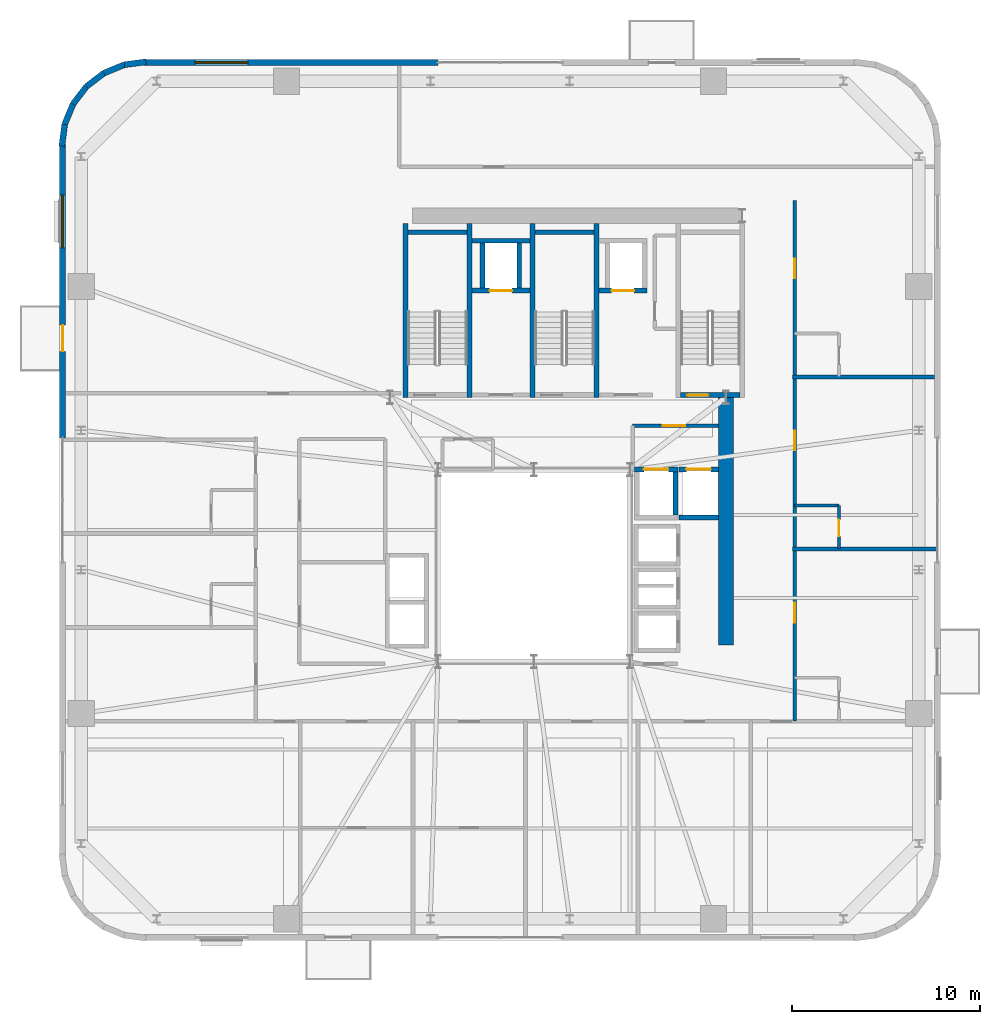
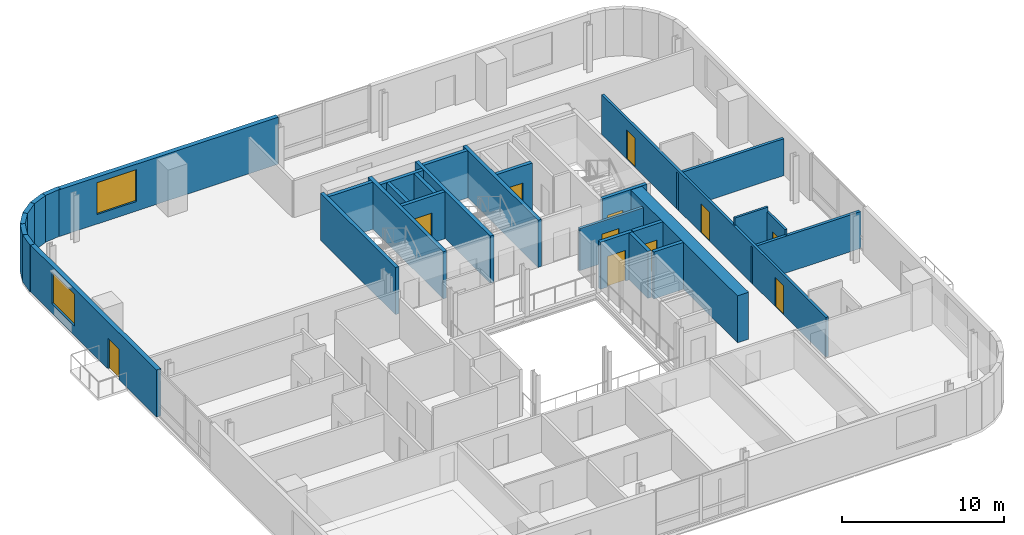
# One storey, part 10 of 16: 31 walls, 11 doors, 2 windows, 13 openings.
"""IFC4 building model written with IfcOpenShell, lengths in metres."""

from ifc_helpers import new_model, si_unit, direction, frame, frame_2d, origin, place, context, subcontext, project, spatial, rectangle, extrude, source, transform, mapped, material, layer, layer_set, type_object, element, fill, save


model = new_model("IFC4")

# Units and contexts
model_context = context("Model", 3, precision=1e-05, world=origin(), true_north=direction((0.0, 1.0)))
body_context = subcontext(model_context, "Body", "Model", "MODEL_VIEW")
ifc_project = project(units=[si_unit("LENGTHUNIT", "METRE"), si_unit("AREAUNIT", "SQUARE_METRE"), si_unit("VOLUMEUNIT", "CUBIC_METRE"), si_unit("PLANEANGLEUNIT", "RADIAN"), si_unit("MASSUNIT", "GRAM", prefix="KILO")], contexts=[model_context])

# Site, building, storey
site_placement = place(None, origin())
site = spatial("IfcSite", under=ifc_project, at=site_placement, CompositionType="ELEMENT")
building_placement = place(site_placement, origin())
building = spatial("IfcBuilding", under=site, at=building_placement, Name="Vardaveli Station Tower", CompositionType="ELEMENT")
storey_placement = place(building_placement, frame((0.0, 0.0, 203.550048828125)))
storey = spatial("IfcBuildingStorey", under=building, at=storey_placement, Name="L52", CompositionType="ELEMENT", Elevation=203.550048828125)

# Wall
ifc_material_1 = material(Name="Concrete C50/60", Category="concrete")
ifc_layer_1 = layer(ifc_material_1, 0.800048828125, Name="Concrete C50/60")
ifc_layer_set_1 = layer_set([ifc_layer_1], Name="Concrete C50/60")
wall_type_1 = type_object("IfcWallType", Name="WAL-CORE-800", PredefinedType="SHEAR", material=ifc_layer_set_1)
shared_shape_1 = source(origin(), body_context, "Body", "SweptSolid", [
    extrude(rectangle(XDim=13.14990234375, YDim=0.800048828125, at=frame_2d((6.574951171875, 0.0))), origin(), (0.0, 0.0, 1.0), 3.530029296875),
])
wall_1_placement = place(storey_placement, frame((46.5, 17.5, 0.0), z_axis=(0.0, 0.0, 1.0), x_axis=(0.0, 1.0, 0.0)))
element("IfcWall", 1, at=wall_1_placement, inside=storey, type_object=wall_type_1, Name="SW-L52-EAST2", PredefinedType="SHEAR", context=body_context, shape_type="MappedRepresentation", body=[
    mapped(shared_shape_1, transform((0.0, 0.0, 0.0), scale=1.0)),
])

# Wall, opening, window
ifc_material_2 = material(Name="Precast concrete C45/55", Category="concrete")
ifc_layer_2 = layer(ifc_material_2, 0.320068359375, Name="Precast concrete C45/55")
ifc_layer_set_2 = layer_set([ifc_layer_2], Name="Precast concrete C45/55")
wall_type_2 = type_object("IfcWallType", Name="WAL-EXT-STONE-320", PredefinedType="SOLIDWALL", material=ifc_layer_set_2)
shared_shape_2 = source(origin(), body_context, "Body", "SweptSolid", [
    extrude(rectangle(XDim=15.599853515625, YDim=0.320068359375, at=frame_2d((7.7998046875, 0.0))), origin(), (0.0, 0.0, 1.0), 3.530029296875),
])
wall_2_placement = place(storey_placement, frame((31.199951171875, 48.43994140625, 0.0), z_axis=(0.0, 0.0, 1.0), x_axis=(-1.0, 0.0, 0.0)))
wall_2 = element("IfcWall", 2, at=wall_2_placement, inside=storey, type_object=wall_type_2, Name="EW-L52-N2", PredefinedType="SOLIDWALL", context=body_context, shape_type="MappedRepresentation", body=[
    mapped(shared_shape_2, transform((0.0, 0.0, 0.0), scale=1.0)),
])
shared_shape_3 = source(origin(), body_context, "Body", "SweptSolid", [
    extrude(rectangle(XDim=2.800048828125, YDim=2.39990234375, at=frame_2d((1.39990234375, 1.199951171875))), frame((0.0, 0.169921875, 0.0), z_axis=(0.0, -1.0, 0.0), x_axis=(1.0, 0.0, 0.0)), (0.0, 0.0, 1.0), 0.340087890625),
])
opening_1_placement = place(wall_2_placement, frame((10.094970703125, 0.0, 0.719970703125)))
opening_1 = element("IfcOpeningElement", 3, at=opening_1_placement, cuts=wall_2, Name="Opening W-04", PredefinedType="OPENING", context=body_context, shape_type="MappedRepresentation", body=[
    mapped(shared_shape_3, transform((0.0, 0.0, 0.0), scale=1.0)),
])
ifc_material_3 = material(Name="Low-E solar-control glass", Category="glass")
window_type = type_object("IfcWindowType", Name="WIN-SUITE-2800x2400", PartitioningType="SINGLE_PANEL", PredefinedType="WINDOW", material=ifc_material_3)
shared_shape_4 = source(origin(), body_context, "Body", "SweptSolid", [
    extrude(rectangle(XDim=2.800048828125, YDim=2.39990234375, at=frame_2d((1.39990234375, 1.199951171875))), frame((0.0, 0.030029296875, 0.0), z_axis=(0.0, -1.0, 0.0), x_axis=(1.0, 0.0, 0.0)), (0.0, 0.0, 1.0), 0.06005859375),
])
window_1_placement = place(opening_1_placement, origin())
window_1 = element("IfcWindow", 4, at=window_1_placement, inside=storey, type_object=window_type, Name="WN-L52-N2", OverallHeight=2.39990234375, OverallWidth=2.800048828125, PartitioningType="SINGLE_PANEL", PredefinedType="WINDOW", context=body_context, shape_type="MappedRepresentation", body=[
    mapped(shared_shape_4, transform((0.0, 0.0, 0.0), scale=1.0)),
])
fill(opening_1, window_1)

# Wall, openings, door, window
shared_shape_5 = source(origin(), body_context, "Body", "SweptSolid", [
    extrude(rectangle(XDim=15.60009765625, YDim=0.320068359375, at=frame_2d((7.800048828125, 0.0))), origin(), (0.0, 0.0, 1.0), 3.530029296875),
])
wall_3_placement = place(storey_placement, frame((11.260009765625, 44.10009765625, 0.0), z_axis=(0.0, 0.0, 1.0), x_axis=(0.0, -1.0, 0.0)))
wall_3 = element("IfcWall", 5, at=wall_3_placement, inside=storey, type_object=wall_type_2, Name="EW-L52-W1", PredefinedType="SOLIDWALL", context=body_context, shape_type="MappedRepresentation", body=[
    mapped(shared_shape_5, transform((0.0, 0.0, 0.0), scale=1.0)),
])
shared_shape_6 = source(origin(), body_context, "Body", "SweptSolid", [
    extrude(rectangle(XDim=1.39990234375, YDim=2.300048828125, at=frame_2d((0.699951171875, 1.14990234375))), frame((0.0, 0.169921875, 0.0), z_axis=(0.0, -1.0, 0.0), x_axis=(1.0, 0.0, 0.0)), (0.0, 0.0, 1.0), 0.340087890625),
])
opening_2_placement = place(wall_3_placement, frame((9.6103515625, 0.0, 0.0)))
opening_2 = element("IfcOpeningElement", 6, at=opening_2_placement, cuts=wall_3, Name="Opening D-09", PredefinedType="OPENING", context=body_context, shape_type="MappedRepresentation", body=[
    mapped(shared_shape_6, transform((0.0, 0.0, 0.0), scale=1.0)),
])
opening_3_placement = place(wall_3_placement, frame((2.705078125, 0.0, 0.719970703125)))
opening_3 = element("IfcOpeningElement", 7, at=opening_3_placement, cuts=wall_3, Name="Opening W-04", PredefinedType="OPENING", context=body_context, shape_type="MappedRepresentation", body=[
    mapped(shared_shape_3, transform((0.0, 0.0, 0.0), scale=1.0)),
])
ifc_material_4 = material(Name="Thermally broken aluminium glass", Category="aluminium")
door_type_1 = type_object("IfcDoorType", Name="DR-LOG-1400x2300", OperationType="DOUBLE_DOOR_SLIDING", PredefinedType="DOOR", material=ifc_material_4)
shared_shape_7 = source(origin(), body_context, "Body", "SweptSolid", [
    extrude(rectangle(XDim=1.39990234375, YDim=2.300048828125, at=frame_2d((0.699951171875, 1.14990234375))), frame((0.0, 0.02490234375, 0.0), z_axis=(0.0, -1.0, 0.0), x_axis=(1.0, 0.0, 0.0)), (0.0, 0.0, 1.0), 0.050048828125),
])
door_1_placement = place(opening_2_placement, frame((1.39990234375, 0.0, 0.0), z_axis=(0.0, 0.0, 1.0), x_axis=(-1.0, 0.0, 0.0)))
door_1 = element("IfcDoor", 8, at=door_1_placement, inside=storey, type_object=door_type_1, Name="DLG-L52-W", OperationType="DOUBLE_DOOR_SLIDING", OverallHeight=2.300048828125, OverallWidth=1.39990234375, PredefinedType="DOOR", context=body_context, shape_type="MappedRepresentation", body=[
    mapped(shared_shape_7, transform((0.0, 0.0, 0.0), scale=1.0)),
])
fill(opening_2, door_1)
window_2_placement = place(opening_3_placement, origin())
window_2 = element("IfcWindow", 9, at=window_2_placement, inside=storey, type_object=window_type, Name="WN-L52-W1", OverallHeight=2.39990234375, OverallWidth=2.800048828125, PartitioningType="SINGLE_PANEL", PredefinedType="WINDOW", context=body_context, shape_type="MappedRepresentation", body=[
    mapped(shared_shape_4, transform((0.0, 0.0, 0.0), scale=1.0)),
])
fill(opening_3, window_2)

# Walls
shared_shape_8 = source(origin(), body_context, "Body", "SweptSolid", [
    extrude(rectangle(XDim=1.1689453125, YDim=0.320068359375, at=frame_2d((0.58447265625, 0.0))), origin(), (0.0, 0.0, 1.0), 3.530029296875),
])
wall_4_placement = place(storey_placement, frame((12.53125, 47.1689453125, 0.0), z_axis=(0.0, 0.0, 1.0), x_axis=(-0.608387696831, -0.793639975269, 0.0)))
element("IfcWall", 10, at=wall_4_placement, inside=storey, type_object=wall_type_2, Name="EW-L52-CR4-4", PredefinedType="SOLIDWALL", context=body_context, shape_type="MappedRepresentation", body=[
    mapped(shared_shape_8, transform((0.0, 0.0, 0.0), scale=1.0)),
])
shared_shape_9 = source(origin(), body_context, "Body", "SweptSolid", [
    extrude(rectangle(XDim=1.168701171875, YDim=0.320068359375, at=frame_2d((0.58447265625, 0.0))), origin(), (0.0, 0.0, 1.0), 3.530029296875),
])
wall_5_placement = place(storey_placement, frame((13.458740234375, 47.8798828125, 0.0), z_axis=(0.0, 0.0, 1.0), x_axis=(-0.793663520347, -0.608356981114, 0.0)))
element("IfcWall", 11, at=wall_5_placement, inside=storey, type_object=wall_type_2, Name="EW-L52-CR4-3", PredefinedType="SOLIDWALL", context=body_context, shape_type="MappedRepresentation", body=[
    mapped(shared_shape_9, transform((0.0, 0.0, 0.0), scale=1.0)),
])
shared_shape_10 = source(origin(), body_context, "Body", "SweptSolid", [
    extrude(rectangle(XDim=1.17041015625, YDim=0.320068359375, at=frame_2d((0.585205078125, 0.0))), origin(), (0.0, 0.0, 1.0), 3.530029296875),
])
for number, where, z_axis, x_axis, name in (
    (12, (15.700439453125, 48.4755859375, 0.0), (0.0, 0.0, 1.0), (-0.991735963317, -0.128295670475, 0.0), "EW-L52-CR4-1"),
    (13, (11.37451171875, 45.16015625, 0.0), (0.0, 0.0, 1.0), (-0.128295670475, -0.991735963317, 0.0), "EW-L52-CR4-6"),
):
    element("IfcWall", number, at=place(storey_placement, frame(where, z_axis=z_axis, x_axis=x_axis)), inside=storey, type_object=wall_type_2, Name=name, PredefinedType="SOLIDWALL", context=body_context, shape_type="MappedRepresentation", body=[
        mapped(shared_shape_10, transform((0.0, 0.0, 0.0), scale=1.0)),
    ])
shared_shape_11 = source(origin(), body_context, "Body", "SweptSolid", [
    extrude(rectangle(XDim=1.169189453125, YDim=0.320068359375, at=frame_2d((0.58447265625, 0.0))), origin(), (0.0, 0.0, 1.0), 3.530029296875),
])
for number, where, z_axis, x_axis, name in (
    (14, (14.539794921875, 48.325439453125, 0.0), (0.0, 0.0, 1.0), (-0.924552646638, -0.381054331552, 0.0), "EW-L52-CR4-2"),
    (15, (11.820068359375, 46.2412109375, 0.0), (0.0, 0.0, 1.0), (-0.381054331552, -0.924552646638, 0.0), "EW-L52-CR4-5"),
):
    element("IfcWall", number, at=place(storey_placement, frame(where, z_axis=z_axis, x_axis=x_axis)), inside=storey, type_object=wall_type_2, Name=name, PredefinedType="SOLIDWALL", context=body_context, shape_type="MappedRepresentation", body=[
        mapped(shared_shape_11, transform((0.0, 0.0, 0.0), scale=1.0)),
    ])
ifc_material_5 = material(Name="Concrete C40/50", Category="concrete")
ifc_layer_3 = layer(ifc_material_5, 0.25, Name="Concrete C40/50")
ifc_layer_set_3 = layer_set([ifc_layer_3], Name="Concrete C40/50")
wall_type_3 = type_object("IfcWallType", Name="WAL-SHAFT-250", PredefinedType="SOLIDWALL", material=ifc_layer_set_3)
shared_shape_12 = source(origin(), body_context, "Body", "SweptSolid", [
    extrude(rectangle(XDim=9.25, YDim=0.25, at=frame_2d((4.625, 0.0))), origin(), (0.0, 0.0, 1.0), 3.550048828125),
])
for number, where, z_axis, x_axis, name in (
    (16, (29.47509765625, 30.64990234375, 0.0), (0.0, 0.0, 1.0), (0.0, 1.0, 0.0), "W-L52-ST-1W"),
    (17, (32.875, 30.64990234375, 0.0), (0.0, 0.0, 1.0), (0.0, 1.0, 0.0), "W-L52-ST-1E"),
    (18, (36.22509765625, 30.64990234375, 0.0), (0.0, 0.0, 1.0), (0.0, 1.0, 0.0), "W-L52-ST-2W"),
    (19, (39.625, 30.64990234375, 0.0), (0.0, 0.0, 1.0), (0.0, 1.0, 0.0), "W-L52-ST-2E"),
):
    element("IfcWall", number, at=place(storey_placement, frame(where, z_axis=z_axis, x_axis=x_axis)), inside=storey, type_object=wall_type_3, Name=name, PredefinedType="SOLIDWALL", context=body_context, shape_type="MappedRepresentation", body=[
        mapped(shared_shape_12, transform((0.0, 0.0, 0.0), scale=1.0)),
    ])
shared_shape_13 = source(origin(), body_context, "Body", "SweptSolid", [
    extrude(rectangle(XDim=3.14990234375, YDim=0.25, at=frame_2d((1.574951171875, 0.0))), origin(), (0.0, 0.0, 1.0), 3.550048828125),
])
for number, where, z_axis, x_axis, name in (
    (20, (29.60009765625, 39.425048828125, 0.0), (0.0, 0.0, 1.0), (1.0, 0.0, 0.0), "W-L52-ST-1N"),
    (21, (36.35009765625, 39.425048828125, 0.0), (0.0, 0.0, 1.0), (1.0, 0.0, 0.0), "W-L52-ST-2N"),
):
    element("IfcWall", number, at=place(storey_placement, frame(where, z_axis=z_axis, x_axis=x_axis)), inside=storey, type_object=wall_type_3, Name=name, PredefinedType="SOLIDWALL", context=body_context, shape_type="MappedRepresentation", body=[
        mapped(shared_shape_13, transform((0.0, 0.0, 0.0), scale=1.0)),
    ])

# Wall, opening, door
wall_6_placement = place(storey_placement, frame((44.10009765625, 30.77490234375, 0.0), z_axis=(0.0, 0.0, 1.0), x_axis=(1.0, 0.0, 0.0)))
wall_6 = element("IfcWall", 22, at=wall_6_placement, inside=storey, type_object=wall_type_3, Name="W-L52-ST-3S", PredefinedType="SOLIDWALL", context=body_context, shape_type="MappedRepresentation", body=[
    mapped(shared_shape_13, transform((0.0, 0.0, 0.0), scale=1.0)),
])
shared_shape_14 = source(origin(), body_context, "Body", "SweptSolid", [
    extrude(rectangle(XDim=1.10009765625, YDim=2.199951171875, at=frame_2d((0.550048828125, 1.10009765625))), frame((0.0, 0.135009765625, 0.0), z_axis=(0.0, -1.0, 0.0), x_axis=(1.0, 0.0, 0.0)), (0.0, 0.0, 1.0), 0.27001953125),
])
opening_4_placement = place(wall_6_placement, frame((0.35009765625, 0.0, 0.0)))
opening_4 = element("IfcOpeningElement", 23, at=opening_4_placement, cuts=wall_6, Name="Opening D-04", PredefinedType="OPENING", context=body_context, shape_type="MappedRepresentation", body=[
    mapped(shared_shape_14, transform((0.0, 0.0, 0.0), scale=1.0)),
])
ifc_material_6 = material(Name="Steel smokeproof fire doorset", Category="steel")
door_type_2 = type_object("IfcDoorType", Name="DR-ST-1100x2200", OperationType="NOTDEFINED", PredefinedType="DOOR", material=ifc_material_6)
shared_shape_15 = source(origin(), body_context, "Body", "SweptSolid", [
    extrude(rectangle(XDim=1.10009765625, YDim=2.199951171875, at=frame_2d((0.550048828125, 1.10009765625))), frame((0.0, 0.02490234375, 0.0), z_axis=(0.0, -1.0, 0.0), x_axis=(1.0, 0.0, 0.0)), (0.0, 0.0, 1.0), 0.050048828125),
])
door_2_placement = place(opening_4_placement, origin())
door_2 = element("IfcDoor", 24, at=door_2_placement, inside=storey, type_object=door_type_2, Name="DST-3-L52", OperationType="SINGLE_SWING_LEFT", OverallHeight=2.199951171875, OverallWidth=1.10009765625, PredefinedType="DOOR", context=body_context, shape_type="MappedRepresentation", body=[
    mapped(shared_shape_15, transform((0.0, 0.0, 0.0), scale=1.0)),
])
fill(opening_4, door_2)

shared_shape_16 = source(origin(), body_context, "Body", "SweptSolid", [
    extrude(rectangle(XDim=3.10009765625, YDim=0.25, at=frame_2d((1.550048828125, 0.0))), origin(), (0.0, 0.0, 1.0), 3.530029296875),
])
wall_7_placement = place(storey_placement, frame((33.0, 36.324951171875, 0.0), z_axis=(0.0, 0.0, 1.0), x_axis=(1.0, 0.0, 0.0)))
wall_7 = element("IfcWall", 25, at=wall_7_placement, inside=storey, type_object=wall_type_3, Name="SHW-FFL-01-L52-S", PredefinedType="SOLIDWALL", context=body_context, shape_type="MappedRepresentation", body=[
    mapped(shared_shape_16, transform((0.0, 0.0, 0.0), scale=1.0)),
])
shared_shape_17 = source(origin(), body_context, "Body", "SweptSolid", [
    extrude(rectangle(XDim=1.199951171875, YDim=2.25, at=frame_2d((0.60009765625, 1.125))), frame((0.0, 0.135009765625, 0.0), z_axis=(0.0, -1.0, 0.0), x_axis=(1.0, 0.0, 0.0)), (0.0, 0.0, 1.0), 0.27001953125),
])
opening_5_placement = place(wall_7_placement, frame((0.949951171875, 0.0, 0.0)))
opening_5 = element("IfcOpeningElement", 26, at=opening_5_placement, cuts=wall_7, Name="Opening LD-02", PredefinedType="OPENING", context=body_context, shape_type="MappedRepresentation", body=[
    mapped(shared_shape_17, transform((0.0, 0.0, 0.0), scale=1.0)),
])
ifc_material_7 = material(Name="Brushed stainless steel", Category="steel")
door_type_3 = type_object("IfcDoorType", Name="DR-LD-1200x2250", OperationType="DOUBLE_DOOR_SLIDING", PredefinedType="DOOR", material=ifc_material_7)
shared_shape_18 = source(origin(), body_context, "Body", "SweptSolid", [
    extrude(rectangle(XDim=1.199951171875, YDim=2.25, at=frame_2d((0.60009765625, 1.125))), frame((0.0, 0.02490234375, 0.0), z_axis=(0.0, -1.0, 0.0), x_axis=(1.0, 0.0, 0.0)), (0.0, 0.0, 1.0), 0.050048828125),
])
door_3_placement = place(opening_5_placement, origin())
door_3 = element("IfcDoor", 27, at=door_3_placement, inside=storey, type_object=door_type_3, Name="LD-FFL-01-L52", OperationType="DOUBLE_DOOR_SLIDING", OverallHeight=2.25, OverallWidth=1.199951171875, PredefinedType="DOOR", context=body_context, shape_type="MappedRepresentation", body=[
    mapped(shared_shape_18, transform((0.0, 0.0, 0.0), scale=1.0)),
])
fill(opening_5, door_3)

# Walls
wall_8_placement = place(storey_placement, frame((33.0, 38.97509765625, 0.0), z_axis=(0.0, 0.0, 1.0), x_axis=(1.0, 0.0, 0.0)))
element("IfcWall", 28, at=wall_8_placement, inside=storey, type_object=wall_type_3, Name="SHW-FFL-01-L52-N", PredefinedType="SOLIDWALL", context=body_context, shape_type="MappedRepresentation", body=[
    mapped(shared_shape_16, transform((0.0, 0.0, 0.0), scale=1.0)),
])
shared_shape_19 = source(origin(), body_context, "Body", "SweptSolid", [
    extrude(rectangle(XDim=2.400146484375, YDim=0.25, at=frame_2d((1.2001953125, 0.0))), origin(), (0.0, 0.0, 1.0), 3.530029296875),
])
for number, where, z_axis, x_axis, name in (
    (29, (33.574951171875, 36.449951171875, 0.0), (0.0, 0.0, 1.0), (0.0, 1.0, 0.0), "SHW-FFL-01-L52-W"),
    (30, (35.52490234375, 36.449951171875, 0.0), (0.0, 0.0, 1.0), (0.0, 1.0, 0.0), "SHW-FFL-01-L52-E"),
):
    element("IfcWall", number, at=place(storey_placement, frame(where, z_axis=z_axis, x_axis=x_axis)), inside=storey, type_object=wall_type_3, Name=name, PredefinedType="SOLIDWALL", context=body_context, shape_type="MappedRepresentation", body=[
        mapped(shared_shape_19, transform((0.0, 0.0, 0.0), scale=1.0)),
    ])

# Wall, opening, door
shared_shape_20 = source(origin(), body_context, "Body", "SweptSolid", [
    extrude(rectangle(XDim=2.550048828125, YDim=0.25, at=frame_2d((1.27490234375, 0.0))), origin(), (0.0, 0.0, 1.0), 3.530029296875),
])
wall_9_placement = place(storey_placement, frame((39.75, 36.324951171875, 0.0), z_axis=(0.0, 0.0, 1.0), x_axis=(1.0, 0.0, 0.0)))
wall_9 = element("IfcWall", 31, at=wall_9_placement, inside=storey, type_object=wall_type_3, Name="SHW-FFL-02-L52-S", PredefinedType="SOLIDWALL", context=body_context, shape_type="MappedRepresentation", body=[
    mapped(shared_shape_20, transform((0.0, 0.0, 0.0), scale=1.0)),
])
opening_6_placement = place(wall_9_placement, frame((0.675048828125, 0.0, 0.0)))
opening_6 = element("IfcOpeningElement", 32, at=opening_6_placement, cuts=wall_9, Name="Opening LD-02", PredefinedType="OPENING", context=body_context, shape_type="MappedRepresentation", body=[
    mapped(shared_shape_17, transform((0.0, 0.0, 0.0), scale=1.0)),
])
door_4_placement = place(opening_6_placement, origin())
door_4 = element("IfcDoor", 33, at=door_4_placement, inside=storey, type_object=door_type_3, Name="LD-FFL-02-L52", OperationType="DOUBLE_DOOR_SLIDING", OverallHeight=2.25, OverallWidth=1.199951171875, PredefinedType="DOOR", context=body_context, shape_type="MappedRepresentation", body=[
    mapped(shared_shape_18, transform((0.0, 0.0, 0.0), scale=1.0)),
])
fill(opening_6, door_4)

shared_shape_21 = source(origin(), body_context, "Body", "SweptSolid", [
    extrude(rectangle(XDim=2.300048828125, YDim=0.25, at=frame_2d((1.14990234375, 0.0))), origin(), (0.0, 0.0, 1.0), 3.530029296875),
])
wall_10_placement = place(storey_placement, frame((41.64990234375, 26.824951171875, 0.0), z_axis=(0.0, 0.0, 1.0), x_axis=(1.0, 0.0, 0.0)))
wall_10 = element("IfcWall", 34, at=wall_10_placement, inside=storey, type_object=wall_type_3, Name="SHW-SRV-01-L52-N", PredefinedType="SOLIDWALL", context=body_context, shape_type="MappedRepresentation", body=[
    mapped(shared_shape_21, transform((0.0, 0.0, 0.0), scale=1.0)),
])
shared_shape_22 = source(origin(), body_context, "Body", "SweptSolid", [
    extrude(rectangle(XDim=1.300048828125, YDim=2.300048828125, at=frame_2d((0.64990234375, 1.14990234375))), frame((0.0, 0.135009765625, 0.0), z_axis=(0.0, -1.0, 0.0), x_axis=(1.0, 0.0, 0.0)), (0.0, 0.0, 1.0), 0.27001953125),
])
opening_7_placement = place(wall_10_placement, frame((0.5, 0.0, 0.0)))
opening_7 = element("IfcOpeningElement", 35, at=opening_7_placement, cuts=wall_10, Name="Opening LD-03", PredefinedType="OPENING", context=body_context, shape_type="MappedRepresentation", body=[
    mapped(shared_shape_22, transform((0.0, 0.0, 0.0), scale=1.0)),
])
door_type_4 = type_object("IfcDoorType", Name="DR-LD-1300x2300", OperationType="DOUBLE_DOOR_SLIDING", PredefinedType="DOOR", material=ifc_material_7)
shared_shape_23 = source(origin(), body_context, "Body", "SweptSolid", [
    extrude(rectangle(XDim=1.300048828125, YDim=2.300048828125, at=frame_2d((0.64990234375, 1.14990234375))), frame((0.0, 0.02490234375, 0.0), z_axis=(0.0, -1.0, 0.0), x_axis=(1.0, 0.0, 0.0)), (0.0, 0.0, 1.0), 0.050048828125),
])
door_5_placement = place(opening_7_placement, origin())
door_5 = element("IfcDoor", 36, at=door_5_placement, inside=storey, type_object=door_type_4, Name="LD-SRV-01-L52", OperationType="DOUBLE_DOOR_SLIDING", OverallHeight=2.300048828125, OverallWidth=1.300048828125, PredefinedType="DOOR", context=body_context, shape_type="MappedRepresentation", body=[
    mapped(shared_shape_23, transform((0.0, 0.0, 0.0), scale=1.0)),
])
fill(opening_7, door_5)

# Walls
wall_11_placement = place(storey_placement, frame((43.824951171875, 24.39990234375, 0.0), z_axis=(0.0, 0.0, 1.0), x_axis=(0.0, 1.0, 0.0)))
element("IfcWall", 37, at=wall_11_placement, inside=storey, type_object=wall_type_3, Name="SHW-SRV-01-L52-E", PredefinedType="SOLIDWALL", context=body_context, shape_type="MappedRepresentation", body=[
    mapped(shared_shape_21, transform((0.0, 0.0, 0.0), scale=1.0)),
])
shared_shape_24 = source(origin(), body_context, "Body", "SweptSolid", [
    extrude(rectangle(XDim=2.10009765625, YDim=0.25, at=frame_2d((1.050048828125, 0.0))), origin(), (0.0, 0.0, 1.0), 3.530029296875),
])
wall_12_placement = place(storey_placement, frame((44.0, 24.27490234375, 0.0), z_axis=(0.0, 0.0, 1.0), x_axis=(1.0, 0.0, 0.0)))
element("IfcWall", 38, at=wall_12_placement, inside=storey, type_object=wall_type_3, Name="SHW-SRV-02-L52-S", PredefinedType="SOLIDWALL", context=body_context, shape_type="MappedRepresentation", body=[
    mapped(shared_shape_24, transform((0.0, 0.0, 0.0), scale=1.0)),
])

# Wall, opening, door
wall_13_placement = place(storey_placement, frame((44.0, 26.824951171875, 0.0), z_axis=(0.0, 0.0, 1.0), x_axis=(1.0, 0.0, 0.0)))
wall_13 = element("IfcWall", 39, at=wall_13_placement, inside=storey, type_object=wall_type_3, Name="SHW-SRV-02-L52-N", PredefinedType="SOLIDWALL", context=body_context, shape_type="MappedRepresentation", body=[
    mapped(shared_shape_24, transform((0.0, 0.0, 0.0), scale=1.0)),
])
opening_8_placement = place(wall_13_placement, frame((0.39990234375, 0.0, 0.0)))
opening_8 = element("IfcOpeningElement", 40, at=opening_8_placement, cuts=wall_13, Name="Opening LD-03", PredefinedType="OPENING", context=body_context, shape_type="MappedRepresentation", body=[
    mapped(shared_shape_22, transform((0.0, 0.0, 0.0), scale=1.0)),
])
door_6_placement = place(opening_8_placement, origin())
door_6 = element("IfcDoor", 41, at=door_6_placement, inside=storey, type_object=door_type_4, Name="LD-SRV-02-L52", OperationType="DOUBLE_DOOR_SLIDING", OverallHeight=2.300048828125, OverallWidth=1.300048828125, PredefinedType="DOOR", context=body_context, shape_type="MappedRepresentation", body=[
    mapped(shared_shape_23, transform((0.0, 0.0, 0.0), scale=1.0)),
])
fill(opening_8, door_6)

ifc_material_8 = material(Name="Fire-rated gypsum stud partition")
ifc_layer_4 = layer(ifc_material_8, 0.179931640625, Name="Fire-rated gypsum stud partition")
ifc_layer_set_4 = layer_set([ifc_layer_4], Name="Fire-rated gypsum stud partition")
wall_type_4 = type_object("IfcWallType", Name="WAL-CORR-180", PredefinedType="PARTITIONING", material=ifc_layer_set_4)
shared_shape_25 = source(origin(), body_context, "Body", "SweptSolid", [
    extrude(rectangle(XDim=4.5478515625, YDim=0.179931640625, at=frame_2d((2.27392578125, 0.0))), origin(), (0.0, 0.0, 1.0), 3.161865234375),
])
wall_14_placement = place(storey_placement, frame((41.550048828125, 29.14990234375, 0.0), z_axis=(0.0, 0.0, 1.0), x_axis=(1.0, 0.0, 0.0)))
wall_14 = element("IfcWall", 42, at=wall_14_placement, inside=storey, type_object=wall_type_4, Name="W-L52-SVFN", PredefinedType="PARTITIONING", context=body_context, shape_type="MappedRepresentation", body=[
    mapped(shared_shape_25, transform((0.0, 0.0, 0.0), scale=1.0)),
])
shared_shape_26 = source(origin(), body_context, "Body", "SweptSolid", [
    extrude(rectangle(XDim=1.199951171875, YDim=2.199951171875, at=frame_2d((0.60009765625, 1.10009765625))), frame((0.0, 0.10009765625, 0.0), z_axis=(0.0, -1.0, 0.0), x_axis=(1.0, 0.0, 0.0)), (0.0, 0.0, 1.0), 0.199951171875),
])
opening_9_placement = place(wall_14_placement, frame((1.60009765625, 0.0, 0.0)))
opening_9 = element("IfcOpeningElement", 43, at=opening_9_placement, cuts=wall_14, Name="Opening D-03", PredefinedType="OPENING", context=body_context, shape_type="MappedRepresentation", body=[
    mapped(shared_shape_26, transform((0.0, 0.0, 0.0), scale=1.0)),
])
door_type_5 = type_object("IfcDoorType", Name="DR-FFL-1200x2200", OperationType="NOTDEFINED", PredefinedType="DOOR", material=ifc_material_6)
shared_shape_27 = source(origin(), body_context, "Body", "SweptSolid", [
    extrude(rectangle(XDim=1.199951171875, YDim=2.199951171875, at=frame_2d((0.60009765625, 1.10009765625))), frame((0.0, 0.02490234375, 0.0), z_axis=(0.0, -1.0, 0.0), x_axis=(1.0, 0.0, 0.0)), (0.0, 0.0, 1.0), 0.050048828125),
])
door_7_placement = place(opening_9_placement, origin())
door_7 = element("IfcDoor", 44, at=door_7_placement, inside=storey, type_object=door_type_5, Name="D-L52-SVF", OperationType="SINGLE_SWING_LEFT", OverallHeight=2.199951171875, OverallWidth=1.199951171875, PredefinedType="DOOR", context=body_context, shape_type="MappedRepresentation", body=[
    mapped(shared_shape_27, transform((0.0, 0.0, 0.0), scale=1.0)),
])
fill(opening_9, door_7)

# Walls
ifc_material_9 = material(Name="Acoustic twin-stud gypsum partition")
ifc_layer_5 = layer(ifc_material_9, 0.199951171875, Name="Acoustic twin-stud gypsum partition")
ifc_layer_set_5 = layer_set([ifc_layer_5], Name="Acoustic twin-stud gypsum partition")
wall_type_5 = type_object("IfcWallType", Name="WAL-PARTY-200", PredefinedType="PARTITIONING", material=ifc_layer_set_5)
shared_shape_28 = source(origin(), body_context, "Body", "SweptSolid", [
    extrude(rectangle(XDim=7.52783203125, YDim=0.199951171875, at=frame_2d((3.763916015625, 0.0))), origin(), (0.0, 0.0, 1.0), 2.77197265625),
])
wall_15_placement = place(storey_placement, frame((50.050048828125, 31.737060546875, 0.0), z_axis=(0.0, 0.0, 1.0), x_axis=(1.0, 0.0, 0.0)))
element("IfcWall", 45, at=wall_15_placement, inside=storey, type_object=wall_type_5, Name="W-L52-PE2", PredefinedType="PARTITIONING", context=body_context, shape_type="MappedRepresentation", body=[
    mapped(shared_shape_28, transform((0.0, 0.0, 0.0), scale=1.0)),
])
shared_shape_29 = source(origin(), body_context, "Body", "SweptSolid", [
    extrude(rectangle(XDim=7.719970703125, YDim=0.199951171875, at=frame_2d((3.85986328125, 0.0))), origin(), (0.0, 0.0, 1.0), 2.77197265625),
])
wall_16_placement = place(storey_placement, frame((50.050048828125, 22.593017578125, 0.0), z_axis=(0.0, 0.0, 1.0), x_axis=(1.0, 0.0, 0.0)))
element("IfcWall", 46, at=wall_16_placement, inside=storey, type_object=wall_type_5, Name="W-L52-PE1", PredefinedType="PARTITIONING", context=body_context, shape_type="MappedRepresentation", body=[
    mapped(shared_shape_29, transform((0.0, 0.0, 0.0), scale=1.0)),
])
ifc_material_10 = material(Name="Moisture-resistant stud partition")
ifc_layer_6 = layer(ifc_material_10, 0.14990234375, Name="Moisture-resistant stud partition")
ifc_layer_set_6 = layer_set([ifc_layer_6], Name="Moisture-resistant stud partition")
wall_type_6 = type_object("IfcWallType", Name="WAL-WET-150", PredefinedType="PARTITIONING", material=ifc_layer_set_6)
shared_shape_30 = source(origin(), body_context, "Body", "SweptSolid", [
    extrude(rectangle(XDim=2.360107421875, YDim=0.14990234375, at=frame_2d((1.18017578125, 0.0))), origin(), (0.0, 0.0, 1.0), 3.530029296875),
])
wall_17_placement = place(storey_placement, frame((50.14990234375, 24.903076171875, 0.0), z_axis=(0.0, 0.0, 1.0), x_axis=(1.0, 0.0, 0.0)))
element("IfcWall", 47, at=wall_17_placement, inside=storey, type_object=wall_type_6, Name="W-L52-BE2-N", PredefinedType="PARTITIONING", context=body_context, shape_type="MappedRepresentation", body=[
    mapped(shared_shape_30, transform((0.0, 0.0, 0.0), scale=1.0)),
])

# Wall, openings, doors
shared_shape_31 = source(origin(), body_context, "Body", "SweptSolid", [
    extrude(rectangle(XDim=27.650146484375, YDim=0.179931640625, at=frame_2d((13.8251953125, 0.0))), origin(), (0.0, 0.0, 1.0), 2.971923828125),
])
wall_18_placement = place(storey_placement, frame((50.14990234375, 13.449951171875, 0.0), z_axis=(0.0, 0.0, 1.0), x_axis=(0.0, 1.0, 0.0)))
wall_18 = element("IfcWall", 48, at=wall_18_placement, inside=storey, type_object=wall_type_4, Name="W-L52-CE", PredefinedType="PARTITIONING", context=body_context, shape_type="MappedRepresentation", body=[
    mapped(shared_shape_31, transform((0.0, 0.0, 0.0), scale=1.0)),
])
shared_shape_32 = source(origin(), body_context, "Body", "SweptSolid", [
    extrude(rectangle(XDim=1.050048828125, YDim=2.199951171875, at=frame_2d((0.52490234375, 1.10009765625))), frame((0.0, 0.10009765625, 0.0), z_axis=(0.0, -1.0, 0.0), x_axis=(1.0, 0.0, 0.0)), (0.0, 0.0, 1.0), 0.199951171875),
])
opening_10_placement = place(wall_18_placement, frame((5.23681640625, 0.0, 0.0)))
opening_10 = element("IfcOpeningElement", 49, at=opening_10_placement, cuts=wall_18, Name="Opening D-05", PredefinedType="OPENING", context=body_context, shape_type="MappedRepresentation", body=[
    mapped(shared_shape_32, transform((0.0, 0.0, 0.0), scale=1.0)),
])
opening_11_placement = place(wall_18_placement, frame((14.3798828125, 0.0, 0.0)))
opening_11 = element("IfcOpeningElement", 50, at=opening_11_placement, cuts=wall_18, Name="Opening D-05", PredefinedType="OPENING", context=body_context, shape_type="MappedRepresentation", body=[
    mapped(shared_shape_32, transform((0.0, 0.0, 0.0), scale=1.0)),
])
opening_12_placement = place(wall_18_placement, frame((23.523193359375, 0.0, 0.0)))
opening_12 = element("IfcOpeningElement", 51, at=opening_12_placement, cuts=wall_18, Name="Opening D-05", PredefinedType="OPENING", context=body_context, shape_type="MappedRepresentation", body=[
    mapped(shared_shape_32, transform((0.0, 0.0, 0.0), scale=1.0)),
])
ifc_material_11 = material(Name="Walnut veneer acoustic fire door")
door_type_6 = type_object("IfcDoorType", Name="DR-SUITE-1050x2200", OperationType="NOTDEFINED", PredefinedType="DOOR", material=ifc_material_11)
shared_shape_33 = source(origin(), body_context, "Body", "SweptSolid", [
    extrude(rectangle(XDim=1.050048828125, YDim=2.199951171875, at=frame_2d((0.52490234375, 1.10009765625))), frame((0.0, 0.02490234375, 0.0), z_axis=(0.0, -1.0, 0.0), x_axis=(1.0, 0.0, 0.0)), (0.0, 0.0, 1.0), 0.050048828125),
])
door_8_placement = place(opening_10_placement, origin())
door_8 = element("IfcDoor", 52, at=door_8_placement, inside=storey, type_object=door_type_6, Name="D-L52-GE1", OperationType="SINGLE_SWING_LEFT", OverallHeight=2.199951171875, OverallWidth=1.050048828125, PredefinedType="DOOR", context=body_context, shape_type="MappedRepresentation", body=[
    mapped(shared_shape_33, transform((0.0, 0.0, 0.0), scale=1.0)),
])
fill(opening_10, door_8)
door_9_placement = place(opening_11_placement, origin())
door_9 = element("IfcDoor", 53, at=door_9_placement, inside=storey, type_object=door_type_6, Name="D-L52-GE2", OperationType="SINGLE_SWING_RIGHT", OverallHeight=2.199951171875, OverallWidth=1.050048828125, PredefinedType="DOOR", context=body_context, shape_type="MappedRepresentation", body=[
    mapped(shared_shape_33, transform((0.0, 0.0, 0.0), scale=1.0)),
])
fill(opening_11, door_9)
door_10_placement = place(opening_12_placement, origin())
door_10 = element("IfcDoor", 54, at=door_10_placement, inside=storey, type_object=door_type_6, Name="D-L52-GE3", OperationType="SINGLE_SWING_LEFT", OverallHeight=2.199951171875, OverallWidth=1.050048828125, PredefinedType="DOOR", context=body_context, shape_type="MappedRepresentation", body=[
    mapped(shared_shape_33, transform((0.0, 0.0, 0.0), scale=1.0)),
])
fill(opening_12, door_10)

# Wall, opening, door
shared_shape_34 = source(origin(), body_context, "Body", "SweptSolid", [
    extrude(rectangle(XDim=2.2900390625, YDim=0.14990234375, at=frame_2d((1.14501953125, 0.0))), origin(), (0.0, 0.0, 1.0), 3.19189453125),
])
wall_19_placement = place(storey_placement, frame((52.510009765625, 22.613037109375, 0.0), z_axis=(0.0, 0.0, 1.0), x_axis=(0.0, 1.0, 0.0)))
wall_19 = element("IfcWall", 55, at=wall_19_placement, inside=storey, type_object=wall_type_6, Name="W-L52-BE2-E", PredefinedType="PARTITIONING", context=body_context, shape_type="MappedRepresentation", body=[
    mapped(shared_shape_34, transform((0.0, 0.0, 0.0), scale=1.0)),
])
shared_shape_35 = source(origin(), body_context, "Body", "SweptSolid", [
    extrude(rectangle(XDim=0.89990234375, YDim=2.10009765625, at=frame_2d((0.449951171875, 1.050048828125))), frame((0.0, 0.0849609375, 0.0), z_axis=(0.0, -1.0, 0.0), x_axis=(1.0, 0.0, 0.0)), (0.0, 0.0, 1.0), 0.169921875),
])
opening_13_placement = place(wall_19_placement, frame((0.64990234375, 0.0, 0.0)))
opening_13 = element("IfcOpeningElement", 56, at=opening_13_placement, cuts=wall_19, Name="Opening D-08", PredefinedType="OPENING", context=body_context, shape_type="MappedRepresentation", body=[
    mapped(shared_shape_35, transform((0.0, 0.0, 0.0), scale=1.0)),
])
ifc_material_12 = material(Name="Moisture-resistant oak door")
door_type_7 = type_object("IfcDoorType", Name="DR-BATH-900x2100", OperationType="NOTDEFINED", PredefinedType="DOOR", material=ifc_material_12)
shared_shape_36 = source(origin(), body_context, "Body", "SweptSolid", [
    extrude(rectangle(XDim=0.89990234375, YDim=2.10009765625, at=frame_2d((0.449951171875, 1.050048828125))), frame((0.0, 0.02490234375, 0.0), z_axis=(0.0, -1.0, 0.0), x_axis=(1.0, 0.0, 0.0)), (0.0, 0.0, 1.0), 0.050048828125),
])
door_11_placement = place(opening_13_placement, origin())
door_11 = element("IfcDoor", 57, at=door_11_placement, inside=storey, type_object=door_type_7, Name="D-L52-BE2", OperationType="SINGLE_SWING_LEFT", OverallHeight=2.10009765625, OverallWidth=0.89990234375, PredefinedType="DOOR", context=body_context, shape_type="MappedRepresentation", body=[
    mapped(shared_shape_36, transform((0.0, 0.0, 0.0), scale=1.0)),
])
fill(opening_13, door_11)

save(model, "model.ifc")
